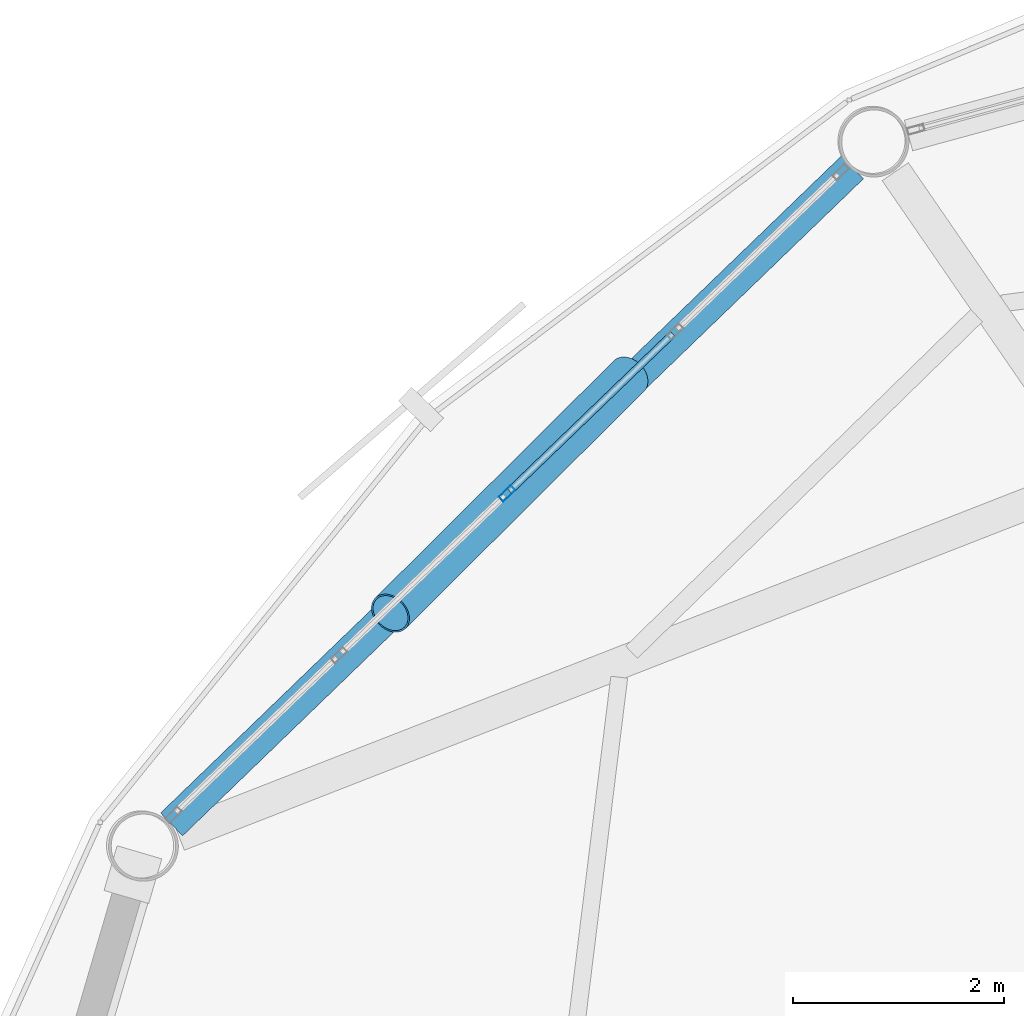
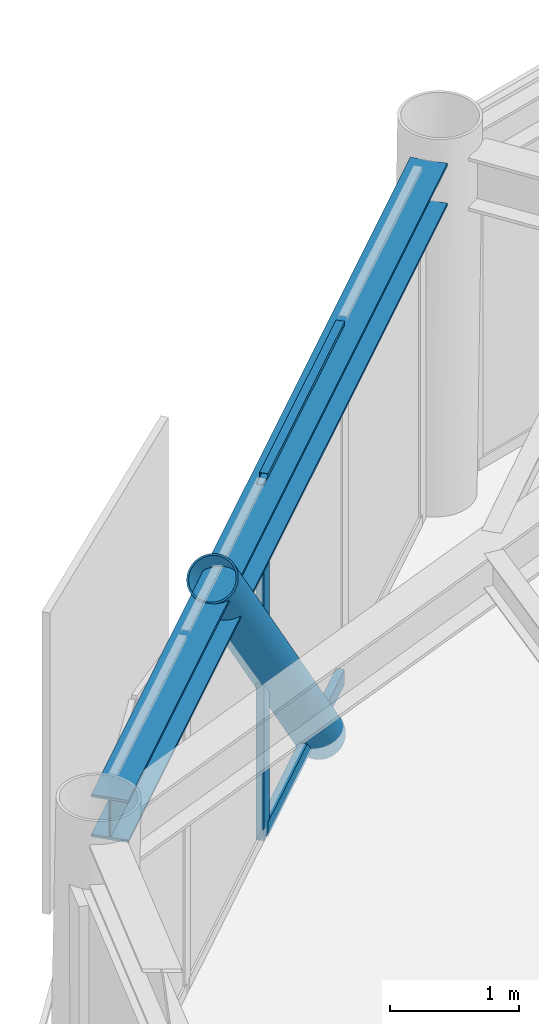
# One storey, part 12 of 26: 4 members, 1 beam, 1 element without a shape of its own.
"""IFC4 building model written with IfcOpenShell, lengths in metres."""

import ifcopenshell
import ifcopenshell.guid

model = None  # the IFC model being written
_history = None  # IfcOwnerHistory: only IFC2X3 demands one
_inside = {}  # id of a spatial element -> (the spatial element, [elements in it])
_under = {}  # id of a project, library or spatial element -> (it, [spatial elements below it])
_declared = {}  # id of a project -> (the project, [libraries it declares])
_typed = {}  # id of a type object -> (the type object, [elements of that type])
_made_of = {}  # id of a material, layer set ... -> (it, [elements and type objects made of it])


def new_model(schema):
    """Start an empty IFC model of exactly this schema.

    Asked for "IFC4X3", IfcOpenShell would pick the latest addendum, in which some entities
    have other attributes; the version numbers below select the first issue.
    IFC2X3 requires an IfcOwnerHistory on every rooted entity: one is made here for all.
    """
    global model, _history
    if schema == "IFC4X3":
        model = ifcopenshell.file(schema_version=(4, 3, 0, 0))
    else:
        model = ifcopenshell.file(schema=schema)
    _inside.clear()
    _under.clear()
    _declared.clear()
    _typed.clear()
    _made_of.clear()
    _history = None
    if model.schema == "IFC2X3":
        org = make("IfcOrganization", Name="unknown")
        user = make(
            "IfcPersonAndOrganization",
            ThePerson=make("IfcPerson", FamilyName="unknown"),
            TheOrganization=org,
        )
        app = make(
            "IfcApplication",
            ApplicationDeveloper=org,
            Version="unknown",
            ApplicationFullName="unknown",
            ApplicationIdentifier="unknown",
        )
        _history = make(
            "IfcOwnerHistory",
            OwningUser=user,
            OwningApplication=app,
            ChangeAction="ADDED",
            CreationDate=0,
        )
    return model


def make(cls, **values):
    """One entity of the class cls with the attributes given. An attribute that is None is left unset."""
    return model.create_entity(
        cls, **{name: value for name, value in values.items() if value is not None}
    )


def rooted(cls, **values):
    """An entity with a GlobalId (a new one), such as an element, a storey or a relation."""
    return make(cls, GlobalId=ifcopenshell.guid.new(), OwnerHistory=_history, **values)


def si_unit(unit_type, name, prefix=None):
    """IfcSIUnit, for example si_unit("LENGTHUNIT", "METRE", prefix="MILLI")."""
    return make("IfcSIUnit", UnitType=unit_type, Prefix=prefix, Name=name)


def assignment(units):
    """IfcUnitAssignment: the units of a project."""
    return None if units is None else make("IfcUnitAssignment", Units=units)


def point(xyz):
    """IfcCartesianPoint."""
    return None if xyz is None else make("IfcCartesianPoint", Coordinates=xyz)


def direction(xyz):
    """IfcDirection."""
    return None if xyz is None else make("IfcDirection", DirectionRatios=xyz)


def frame(location, z_axis=None, x_axis=None):
    """IfcAxis2Placement3D, a coordinate frame: its origin and axes. An axis left out is left unset."""
    return make(
        "IfcAxis2Placement3D",
        Location=point(location),
        Axis=direction(z_axis),
        RefDirection=direction(x_axis),
    )


def frame_2d(location, x_axis=None):
    """IfcAxis2Placement2D, a coordinate frame in the plane: its origin and x axis."""
    return make(
        "IfcAxis2Placement2D", Location=point(location), RefDirection=direction(x_axis)
    )


def origin():
    """The frame at (0, 0, 0) with its axes left unset."""
    return frame((0.0, 0.0, 0.0))


def origin_2d():
    """The frame at (0, 0) in the plane with its x axis left unset."""
    return frame_2d((0.0, 0.0))


def place(relative_to, where):
    """IfcLocalPlacement: puts the frame where relative to a parent placement (None: the world)."""
    return make(
        "IfcLocalPlacement", PlacementRelTo=relative_to, RelativePlacement=where
    )


def context(
    kind, dimensions, precision=None, world=None, true_north=None, identifier=None
):
    """IfcGeometricRepresentationContext, for example the 3D "Model" context."""
    return make(
        "IfcGeometricRepresentationContext",
        ContextIdentifier=identifier,
        ContextType=kind,
        CoordinateSpaceDimension=dimensions,
        Precision=precision,
        WorldCoordinateSystem=world,
        TrueNorth=true_north,
    )


def subcontext(parent, identifier, kind, view, scale=None):
    """IfcGeometricRepresentationSubContext, for example "Body" below "Model"."""
    return make(
        "IfcGeometricRepresentationSubContext",
        ContextIdentifier=identifier,
        ContextType=kind,
        ParentContext=parent,
        TargetScale=scale,
        TargetView=view,
    )


def project(units=None, contexts=None):
    """IfcProject with its units and contexts."""
    return rooted(
        "IfcProject",
        Name="project",
        RepresentationContexts=contexts,
        UnitsInContext=assignment(units),
    )


def spatial(cls, under=None, at=None, **own):
    """A site, building, storey or space (cls), placed at a placement, below another one or the project."""
    s = rooted(cls, ObjectPlacement=at, **own)
    if under is not None:
        _under.setdefault(under.id(), (under, []))[1].append(s)
    return s


def profile(cls, at=None, kind="AREA", **sizes):
    """A parametric profile (cls). Its sizes go by their IFC names, for example OverallWidth=200.0."""
    return make(cls, ProfileType=kind, Position=at, **sizes)


def hollow_rectangle(**sizes):
    """IfcRectangleHollowProfileDef."""
    return profile("IfcRectangleHollowProfileDef", **sizes)


def hollow_circle(**sizes):
    """IfcCircleHollowProfileDef."""
    return profile("IfcCircleHollowProfileDef", **sizes)


def i_section(**sizes):
    """IfcIShapeProfileDef."""
    return profile("IfcIShapeProfileDef", **sizes)


def extrude(swept, where, along, depth):
    """IfcExtrudedAreaSolid: the profile swept, set in the frame where, extruded along a direction by depth."""
    return make(
        "IfcExtrudedAreaSolid",
        SweptArea=swept,
        Position=where,
        ExtrudedDirection=direction(along),
        Depth=depth,
    )


def shape(context_of_items, identifier, shape_type, items):
    """IfcShapeRepresentation: the items that make up one representation, for example the "Body"."""
    return make(
        "IfcShapeRepresentation",
        ContextOfItems=context_of_items,
        RepresentationIdentifier=identifier,
        RepresentationType=shape_type,
        Items=items,
    )


def material(Name=None, Category=None):
    """IfcMaterial."""
    return make("IfcMaterial", Name=Name, Category=Category)


def layer(
    of_material, thickness, ventilated=None, Name=None, Category=None, Priority=None
):
    """IfcMaterialLayer: one layer of a wall or slab, of a material (None: an air gap)."""
    return make(
        "IfcMaterialLayer",
        Material=of_material,
        LayerThickness=thickness,
        IsVentilated=ventilated,
        Name=Name,
        Category=Category,
        Priority=Priority,
    )


def layer_set(layers, Name=None):
    """IfcMaterialLayerSet."""
    return make("IfcMaterialLayerSet", MaterialLayers=layers, LayerSetName=Name)


def material_profile(
    of_material, cross_section, Name=None, Category=None, Priority=None
):
    """IfcMaterialProfile: a cross section and its material."""
    return make(
        "IfcMaterialProfile",
        Name=Name,
        Material=of_material,
        Profile=cross_section,
        Priority=Priority,
        Category=Category,
    )


def profile_set(profiles, Name=None, composite=None):
    """IfcMaterialProfileSet."""
    return make(
        "IfcMaterialProfileSet",
        Name=Name,
        MaterialProfiles=profiles,
        CompositeProfile=composite,
    )


def made_of(thing, what):
    """Note that an element or type object is made of a material, layer set ...; save() writes the relation."""
    if what is not None:
        _made_of.setdefault(what.id(), (what, []))[1].append(thing)
    return thing


def type_object(cls, material=None, **own):
    """A type object (cls), such as IfcWallType, which elements share."""
    return made_of(rooted(cls, **own), material)


def element(
    cls,
    number,
    at=None,
    inside=None,
    cuts=None,
    type_object=None,
    material=None,
    context=None,
    identifier="Body",
    shape_type=None,
    held_by="IfcProductDefinitionShape",
    body=None,
    shapes=None,
    **own,
):
    """One element of the class cls, such as IfcWall. Its Tag is "e" and its number.

    at: its placement. inside: the storey or other place that contains it. cuts: it is an
    opening in that element (IfcRelVoidsElement). A single representation is given by context,
    identifier, shape_type and body (its items); several are given by shapes. held_by: the class
    of the entity that holds the representations. save() writes the other relations.
    """
    e = rooted(cls, Tag="e%d" % number, ObjectPlacement=at, **own)
    if body is not None:
        shapes = [shape(context, identifier, shape_type, body)]
    if shapes is not None:
        e.Representation = make(held_by, Representations=shapes)
    if inside is not None:
        _inside.setdefault(inside.id(), (inside, []))[1].append(e)
    if cuts is not None:
        rooted(
            "IfcRelVoidsElement", RelatingBuildingElement=cuts, RelatedOpeningElement=e
        )
    if type_object is not None:
        _typed.setdefault(type_object.id(), (type_object, []))[1].append(e)
    return made_of(e, material)


def aggregate(whole, parts):
    """IfcRelAggregates: a whole, such as a stair, and the parts it consists of."""
    return rooted("IfcRelAggregates", RelatingObject=whole, RelatedObjects=parts)


def save(model, path):
    """Write the relations noted so far, then the file.

    IfcRelAggregates (storeys below a building ...), IfcRelContainedInSpatialStructure (elements
    in a storey), IfcRelDefinesByType, IfcRelAssociatesMaterial and IfcRelDeclares: one each for
    every whole, place, type object, material and project.
    """
    for whole, parts in _under.values():
        aggregate(whole, parts)
    for where, things in _inside.values():
        rooted(
            "IfcRelContainedInSpatialStructure",
            RelatedElements=things,
            RelatingStructure=where,
        )
    for kind, things in _typed.values():
        rooted("IfcRelDefinesByType", RelatedObjects=things, RelatingType=kind)
    for what, things in _made_of.values():
        rooted("IfcRelAssociatesMaterial", RelatedObjects=things, RelatingMaterial=what)
    for by, libraries in _declared.values():
        rooted("IfcRelDeclares", RelatingContext=by, RelatedDefinitions=libraries)
    model.write(path)


model = new_model("IFC4")

# Units and contexts
model_context = context("Model", 3, precision=1e-05, world=origin(), true_north=direction((0.0, 1.0)))
body_context = subcontext(model_context, "Body", "Model", "MODEL_VIEW")
ifc_project = project(units=[si_unit("LENGTHUNIT", "METRE"), si_unit("AREAUNIT", "SQUARE_METRE"), si_unit("VOLUMEUNIT", "CUBIC_METRE"), si_unit("PLANEANGLEUNIT", "RADIAN"), si_unit("MASSUNIT", "GRAM", prefix="KILO")], contexts=[model_context])

# Site, building, storey
site_placement = place(None, origin())
site = spatial("IfcSite", under=ifc_project, at=site_placement, CompositionType="ELEMENT")
building_placement = place(site_placement, origin())
building = spatial("IfcBuilding", under=site, at=building_placement, Name="Varnakorn Sky Granary", CompositionType="ELEMENT")
storey_placement = place(building_placement, frame((0.0, 0.0, 218.39990234375)))
storey = spatial("IfcBuildingStorey", under=building, at=storey_placement, Name="L55", CompositionType="ELEMENT", Elevation=218.39990234375)

# Beam
ifc_material_1 = material(Name="Steel S355JR", Category="steel")
ifc_material_profile_1 = material_profile(ifc_material_1, i_section(OverallWidth=0.300048828125, OverallDepth=0.39990234375, WebThickness=0.013427734375, FlangeThickness=0.02392578125, at=origin_2d()), Name="HE 400 B")
ifc_profile_set_1 = profile_set([ifc_material_profile_1], Name="Steel S355JR")
beam_type = type_object("IfcBeamType", Name="BM-SPD-Z4", PredefinedType="SPANDREL", material=ifc_profile_set_1)
beam_placement = place(storey_placement, frame((-4.793701171875, 15.521240234375, 3.16015625), z_axis=(-0.719570177796, -0.694419728426, 0.0), x_axis=(0.694419728426, -0.719570177796, 0.0)))
element("IfcBeam", 1, at=beam_placement, inside=storey, type_object=beam_type, Name="Perimeter Spandrel Ring Beam RB05 L55", PredefinedType="SPANDREL", context=body_context, shape_type="SweptSolid", body=[
    extrude(i_section(OverallWidth=0.300048828125, OverallDepth=0.39990234375, WebThickness=0.013427734375, FlangeThickness=0.02392578125, at=origin_2d()), origin(), (0.0, 0.0, 1.0), 8.949951171875),
])

# Curtain wall, members
ifc_material_2 = material(Name="Anodised Bronze Aluminium Alloy 6063-T6", Category="aluminium")
ifc_layer = layer(ifc_material_2, 0.169921875, Name="Anodised Bronze Aluminium Alloy 6063-T6")
ifc_layer_set = layer_set([ifc_layer], Name="Anodised Bronze Aluminium Alloy 6063-T6")
curtain_wall_type = type_object("IfcCurtainWallType", Name="CW-LAB-1", PredefinedType="USERDEFINED", material=ifc_layer_set)
curtain_wall_placement = place(storey_placement, origin())
curtain_wall = element("IfcCurtainWall", 2, at=curtain_wall_placement, inside=storey, type_object=curtain_wall_type, Name="Unitised Curtain Wall CW5 CW-L55-B05", ObjectType="CURTAIN WALL", PredefinedType="USERDEFINED")
ifc_material_profile_2 = material_profile(ifc_material_2, hollow_rectangle(XDim=0.06494140625, YDim=0.159912109375, WallThickness=0.00341796875, at=origin_2d()), Name="ALU MULL 65x160")
ifc_profile_set_2 = profile_set([ifc_material_profile_2], Name="Anodised Bronze Aluminium Alloy 6063-T6")
member_type_1 = type_object("IfcMemberType", Name="CW-LAB-1-MULL", PredefinedType="MULLION", material=ifc_profile_set_2)
member_1_placement = place(storey_placement, frame((-8.060302734375, 12.43701171875, 0.0), z_axis=(0.0, 0.0, 1.0), x_axis=(-0.693784930795, 0.72018224763, 0.0)))
member_1 = element("IfcMember", 3, at=member_1_placement, type_object=member_type_1, Name="CW5 mullion 3", PredefinedType="MULLION", context=body_context, shape_type="SweptSolid", body=[
    extrude(hollow_rectangle(XDim=0.06494140625, YDim=0.159912109375, WallThickness=0.00341796875, at=origin_2d()), origin(), (0.0, 0.0, 1.0), 3.360107421875),
])
ifc_material_profile_3 = material_profile(ifc_material_2, hollow_rectangle(XDim=0.070068359375, YDim=0.139892578125, WallThickness=0.00341796875, at=origin_2d()), Name="ALU TRAN 70x140")
ifc_profile_set_3 = profile_set([ifc_material_profile_3], Name="Anodised Bronze Aluminium Alloy 6063-T6")
member_type_2 = type_object("IfcMemberType", Name="CW-LAB-1-TRAN", PredefinedType="USERDEFINED", material=ifc_profile_set_3)
member_2_placement = place(storey_placement, frame((-8.036865234375, 12.45947265625, 0.03515625), z_axis=(0.720206292146, 0.693759970561, 0.0), x_axis=(-0.693759970561, 0.720206292146, 0.0)))
member_2 = element("IfcMember", 4, at=member_2_placement, type_object=member_type_2, Name="CW5 transom 3.1", ObjectType="TRANSOM", PredefinedType="USERDEFINED", context=body_context, shape_type="SweptSolid", body=[
    extrude(hollow_rectangle(XDim=0.070068359375, YDim=0.139892578125, WallThickness=0.00341796875, at=origin_2d()), origin(), (0.0, 0.0, 1.0), 2.1416015625),
])
member_3_placement = place(storey_placement, frame((-8.036865234375, 12.45947265625, 3.3251953125), z_axis=(0.720206292146, 0.693759970561, 0.0), x_axis=(-0.693759970561, 0.720206292146, 0.0)))
member_3 = element("IfcMember", 5, at=member_3_placement, type_object=member_type_2, Name="CW5 transom 3.2", ObjectType="TRANSOM", PredefinedType="USERDEFINED", context=body_context, shape_type="SweptSolid", body=[
    extrude(hollow_rectangle(XDim=0.070068359375, YDim=0.139892578125, WallThickness=0.00341796875, at=origin_2d()), origin(), (0.0, 0.0, 1.0), 2.1416015625),
])
aggregate(curtain_wall, [member_1, member_2, member_3])

# Member
ifc_material_3 = material(Name="Steel S460M", Category="steel")
ifc_material_profile_4 = material_profile(ifc_material_3, hollow_circle(Radius=0.203125, WallThickness=0.01611328125, at=origin_2d()), Name="CHS 406.4x16")
ifc_profile_set_4 = profile_set([ifc_material_profile_4], Name="Steel S460M")
member_type_3 = type_object("IfcMemberType", Name="MB-DIAG-T4", PredefinedType="BRACE", material=ifc_profile_set_4)
member_4_placement = place(storey_placement, frame((-6.9072265625, 13.5478515625, -0.1298828125), z_axis=(-0.468075039278, -0.465440565629, 0.751179630629), x_axis=(0.705108447877, -0.709099482958, 0.0)))
element("IfcMember", 6, at=member_4_placement, inside=storey, type_object=member_type_3, Name="Perimeter CHS Diagrid Brace DG05 L55", PredefinedType="BRACE", context=body_context, shape_type="SweptSolid", body=[
    extrude(hollow_circle(Radius=0.203125, WallThickness=0.01611328125, at=origin_2d()), origin(), (0.0, 0.0, 1.0), 4.81884765625),
])

save(model, "model.ifc")
